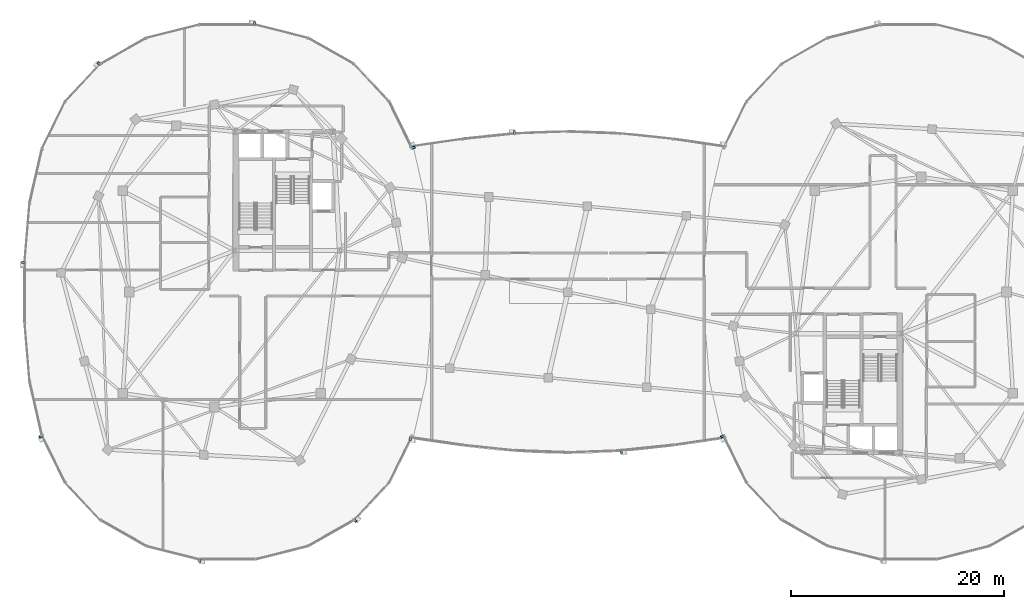
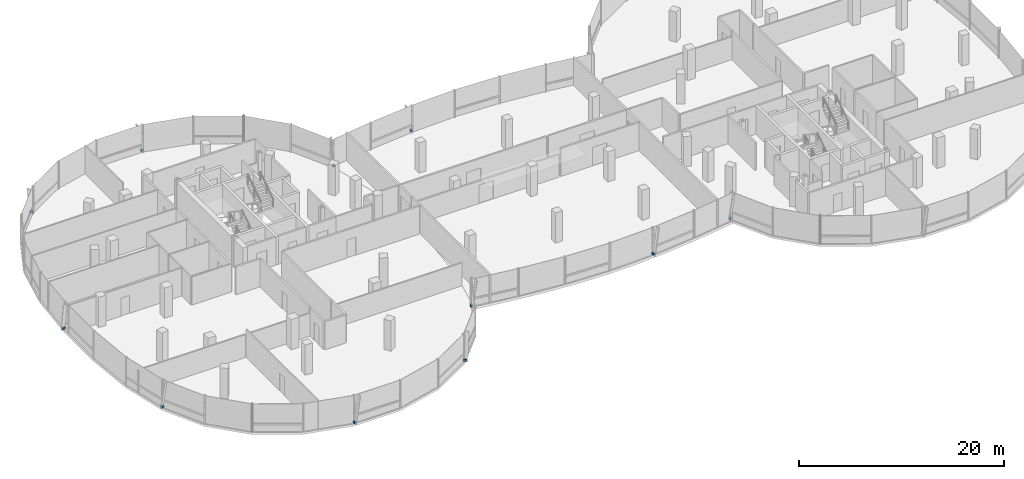
# One storey, part 18 of 25: 11 discrete accessories.
"""IFC4 building model written with IfcOpenShell, lengths in metres."""

import ifcopenshell
import ifcopenshell.guid

model = None  # the IFC model being written
_history = None  # IfcOwnerHistory: only IFC2X3 demands one
_inside = {}  # id of a spatial element -> (the spatial element, [elements in it])
_under = {}  # id of a project, library or spatial element -> (it, [spatial elements below it])
_declared = {}  # id of a project -> (the project, [libraries it declares])
_typed = {}  # id of a type object -> (the type object, [elements of that type])
_made_of = {}  # id of a material, layer set ... -> (it, [elements and type objects made of it])


def new_model(schema):
    """Start an empty IFC model of exactly this schema.

    Asked for "IFC4X3", IfcOpenShell would pick the latest addendum, in which some entities
    have other attributes; the version numbers below select the first issue.
    IFC2X3 requires an IfcOwnerHistory on every rooted entity: one is made here for all.
    """
    global model, _history
    if schema == "IFC4X3":
        model = ifcopenshell.file(schema_version=(4, 3, 0, 0))
    else:
        model = ifcopenshell.file(schema=schema)
    _inside.clear()
    _under.clear()
    _declared.clear()
    _typed.clear()
    _made_of.clear()
    _history = None
    if model.schema == "IFC2X3":
        org = make("IfcOrganization", Name="unknown")
        user = make(
            "IfcPersonAndOrganization",
            ThePerson=make("IfcPerson", FamilyName="unknown"),
            TheOrganization=org,
        )
        app = make(
            "IfcApplication",
            ApplicationDeveloper=org,
            Version="unknown",
            ApplicationFullName="unknown",
            ApplicationIdentifier="unknown",
        )
        _history = make(
            "IfcOwnerHistory",
            OwningUser=user,
            OwningApplication=app,
            ChangeAction="ADDED",
            CreationDate=0,
        )
    return model


def make(cls, **values):
    """One entity of the class cls with the attributes given. An attribute that is None is left unset."""
    return model.create_entity(
        cls, **{name: value for name, value in values.items() if value is not None}
    )


def rooted(cls, **values):
    """An entity with a GlobalId (a new one), such as an element, a storey or a relation."""
    return make(cls, GlobalId=ifcopenshell.guid.new(), OwnerHistory=_history, **values)


def si_unit(unit_type, name, prefix=None):
    """IfcSIUnit, for example si_unit("LENGTHUNIT", "METRE", prefix="MILLI")."""
    return make("IfcSIUnit", UnitType=unit_type, Prefix=prefix, Name=name)


def assignment(units):
    """IfcUnitAssignment: the units of a project."""
    return None if units is None else make("IfcUnitAssignment", Units=units)


def point(xyz):
    """IfcCartesianPoint."""
    return None if xyz is None else make("IfcCartesianPoint", Coordinates=xyz)


def direction(xyz):
    """IfcDirection."""
    return None if xyz is None else make("IfcDirection", DirectionRatios=xyz)


def frame(location, z_axis=None, x_axis=None):
    """IfcAxis2Placement3D, a coordinate frame: its origin and axes. An axis left out is left unset."""
    return make(
        "IfcAxis2Placement3D",
        Location=point(location),
        Axis=direction(z_axis),
        RefDirection=direction(x_axis),
    )


def frame_2d(location, x_axis=None):
    """IfcAxis2Placement2D, a coordinate frame in the plane: its origin and x axis."""
    return make(
        "IfcAxis2Placement2D", Location=point(location), RefDirection=direction(x_axis)
    )


def origin():
    """The frame at (0, 0, 0) with its axes left unset."""
    return frame((0.0, 0.0, 0.0))


def origin_2d():
    """The frame at (0, 0) in the plane with its x axis left unset."""
    return frame_2d((0.0, 0.0))


def place(relative_to, where):
    """IfcLocalPlacement: puts the frame where relative to a parent placement (None: the world)."""
    return make(
        "IfcLocalPlacement", PlacementRelTo=relative_to, RelativePlacement=where
    )


def context(
    kind, dimensions, precision=None, world=None, true_north=None, identifier=None
):
    """IfcGeometricRepresentationContext, for example the 3D "Model" context."""
    return make(
        "IfcGeometricRepresentationContext",
        ContextIdentifier=identifier,
        ContextType=kind,
        CoordinateSpaceDimension=dimensions,
        Precision=precision,
        WorldCoordinateSystem=world,
        TrueNorth=true_north,
    )


def subcontext(parent, identifier, kind, view, scale=None):
    """IfcGeometricRepresentationSubContext, for example "Body" below "Model"."""
    return make(
        "IfcGeometricRepresentationSubContext",
        ContextIdentifier=identifier,
        ContextType=kind,
        ParentContext=parent,
        TargetScale=scale,
        TargetView=view,
    )


def project(units=None, contexts=None):
    """IfcProject with its units and contexts."""
    return rooted(
        "IfcProject",
        Name="project",
        RepresentationContexts=contexts,
        UnitsInContext=assignment(units),
    )


def spatial(cls, under=None, at=None, **own):
    """A site, building, storey or space (cls), placed at a placement, below another one or the project."""
    s = rooted(cls, ObjectPlacement=at, **own)
    if under is not None:
        _under.setdefault(under.id(), (under, []))[1].append(s)
    return s


def profile(cls, at=None, kind="AREA", **sizes):
    """A parametric profile (cls). Its sizes go by their IFC names, for example OverallWidth=200.0."""
    return make(cls, ProfileType=kind, Position=at, **sizes)


def rectangle(**sizes):
    """IfcRectangleProfileDef."""
    return profile("IfcRectangleProfileDef", **sizes)


def extrude(swept, where, along, depth):
    """IfcExtrudedAreaSolid: the profile swept, set in the frame where, extruded along a direction by depth."""
    return make(
        "IfcExtrudedAreaSolid",
        SweptArea=swept,
        Position=where,
        ExtrudedDirection=direction(along),
        Depth=depth,
    )


def shape(context_of_items, identifier, shape_type, items):
    """IfcShapeRepresentation: the items that make up one representation, for example the "Body"."""
    return make(
        "IfcShapeRepresentation",
        ContextOfItems=context_of_items,
        RepresentationIdentifier=identifier,
        RepresentationType=shape_type,
        Items=items,
    )


def material(Name=None, Category=None):
    """IfcMaterial."""
    return make("IfcMaterial", Name=Name, Category=Category)


def made_of(thing, what):
    """Note that an element or type object is made of a material, layer set ...; save() writes the relation."""
    if what is not None:
        _made_of.setdefault(what.id(), (what, []))[1].append(thing)
    return thing


def type_object(cls, material=None, **own):
    """A type object (cls), such as IfcWallType, which elements share."""
    return made_of(rooted(cls, **own), material)


def element(
    cls,
    number,
    at=None,
    inside=None,
    cuts=None,
    type_object=None,
    material=None,
    context=None,
    identifier="Body",
    shape_type=None,
    held_by="IfcProductDefinitionShape",
    body=None,
    shapes=None,
    **own,
):
    """One element of the class cls, such as IfcWall. Its Tag is "e" and its number.

    at: its placement. inside: the storey or other place that contains it. cuts: it is an
    opening in that element (IfcRelVoidsElement). A single representation is given by context,
    identifier, shape_type and body (its items); several are given by shapes. held_by: the class
    of the entity that holds the representations. save() writes the other relations.
    """
    e = rooted(cls, Tag="e%d" % number, ObjectPlacement=at, **own)
    if body is not None:
        shapes = [shape(context, identifier, shape_type, body)]
    if shapes is not None:
        e.Representation = make(held_by, Representations=shapes)
    if inside is not None:
        _inside.setdefault(inside.id(), (inside, []))[1].append(e)
    if cuts is not None:
        rooted(
            "IfcRelVoidsElement", RelatingBuildingElement=cuts, RelatedOpeningElement=e
        )
    if type_object is not None:
        _typed.setdefault(type_object.id(), (type_object, []))[1].append(e)
    return made_of(e, material)


def aggregate(whole, parts):
    """IfcRelAggregates: a whole, such as a stair, and the parts it consists of."""
    return rooted("IfcRelAggregates", RelatingObject=whole, RelatedObjects=parts)


def save(model, path):
    """Write the relations noted so far, then the file.

    IfcRelAggregates (storeys below a building ...), IfcRelContainedInSpatialStructure (elements
    in a storey), IfcRelDefinesByType, IfcRelAssociatesMaterial and IfcRelDeclares: one each for
    every whole, place, type object, material and project.
    """
    for whole, parts in _under.values():
        aggregate(whole, parts)
    for where, things in _inside.values():
        rooted(
            "IfcRelContainedInSpatialStructure",
            RelatedElements=things,
            RelatingStructure=where,
        )
    for kind, things in _typed.values():
        rooted("IfcRelDefinesByType", RelatedObjects=things, RelatingType=kind)
    for what, things in _made_of.values():
        rooted("IfcRelAssociatesMaterial", RelatedObjects=things, RelatingMaterial=what)
    for by, libraries in _declared.values():
        rooted("IfcRelDeclares", RelatingContext=by, RelatedDefinitions=libraries)
    model.write(path)


model = new_model("IFC4")

# Units and contexts
model_context = context("Model", 3, precision=1e-05, world=origin(), true_north=direction((0.0, 1.0)))
body_context = subcontext(model_context, "Body", "Model", "MODEL_VIEW")
ifc_project = project(units=[si_unit("LENGTHUNIT", "METRE"), si_unit("AREAUNIT", "SQUARE_METRE"), si_unit("VOLUMEUNIT", "CUBIC_METRE"), si_unit("PLANEANGLEUNIT", "RADIAN"), si_unit("MASSUNIT", "GRAM", prefix="KILO"), si_unit("THERMODYNAMICTEMPERATUREUNIT", "KELVIN"), si_unit("POWERUNIT", "WATT")], contexts=[model_context])

# Site, building, storey
site_placement = place(None, origin())
site = spatial("IfcSite", under=ifc_project, at=site_placement, CompositionType="ELEMENT")
building_placement = place(site_placement, origin())
building = spatial("IfcBuilding", under=site, at=building_placement, Name="Cundina Bronze Exchange", CompositionType="ELEMENT")
storey_placement = place(building_placement, frame((0.0, 0.0, 254.0)))
storey = spatial("IfcBuildingStorey", under=building, at=storey_placement, Name="L67", CompositionType="ELEMENT", Elevation=254.0)

# Discrete accessories
ifc_material = material(Name="Anodised Bronze Aluminium 6063-T6", Category="aluminium")
discrete_accessory_type = type_object("IfcDiscreteAccessoryType", Name="ACC-BRK-FIN", PredefinedType="BRACKET", material=ifc_material)
for number, where, z_axis, x_axis, name in (
    (1, (-14.505126953125, 13.565673828125, 0.10009765625), (0.0, 0.0, 1.0), (-0.440503330345, 0.897750976582, 0.0), "L67 Fin Support Bracket 1"),
    (2, (-29.423583984375, 25.25, 0.10009765625), (0.0, 0.0, 1.0), (-1.0, 0.0, 0.0), "L67 Fin Support Bracket 5"),
    (3, (-44.042236328125, 21.4755859375, 0.10009765625), (0.0, 0.0, 1.0), (-0.684343512797, -0.72915976061, 0.0), "L67 Fin Support Bracket 1"),
    (4, (-51.158935546875, 2.79150390625, 0.10009765625), (0.0, 0.0, 1.0), (0.0, -1.0, 0.0), "L67 Fin Support Bracket 5"),
    (5, (-49.494873046875, -13.565673828125, 0.10009765625), (0.0, 0.0, 1.0), (0.440503330345, -0.897750976582, 0.0), "L67 Fin Support Bracket 1"),
    (6, (-34.576416015625, -25.25, 0.10009765625), (0.0, 0.0, 1.0), (1.0, 0.0, 0.0), "L67 Fin Support Bracket 5"),
    (7, (-19.957763671875, -21.4755859375, 0.10009765625), (0.0, 0.0, 1.0), (0.684343512797, 0.72915976061, 0.0), "L67 Fin Support Bracket 1"),
    (8, (14.505126953125, -13.565673828125, 0.10009765625), (0.0, 0.0, 1.0), (0.440503330345, -0.897750976582, 0.0), "L67 Fin Support Bracket 1"),
    (9, (-14.799560546875, -13.79736328125, 0.10009765625), (0.0, 0.0, 1.0), (0.989528308409, -0.144338930496, 0.0), "L67 Fin Support Bracket 1"),
    (10, (5.003173828125, -15.01953125, 0.10009765625), (0.0, 0.0, 1.0), (0.994672274174, 0.103087666525, 0.0), "L67 Fin Support Bracket 5"),
    (11, (-5.003173828125, 15.01953125, 0.10009765625), (0.0, 0.0, 1.0), (-0.994672274174, -0.103087666525, 0.0), "L67 Fin Support Bracket 5"),
):
    element("IfcDiscreteAccessory", number, at=place(storey_placement, frame(where, z_axis=z_axis, x_axis=x_axis)), inside=storey, type_object=discrete_accessory_type, Name=name, PredefinedType="BRACKET", context=body_context, shape_type="SweptSolid", body=[
        extrude(rectangle(XDim=0.219970703125, YDim=0.320068359375, at=origin_2d()), origin(), (0.0, 0.0, 1.0), 0.239990234375),
    ])

save(model, "model.ifc")
